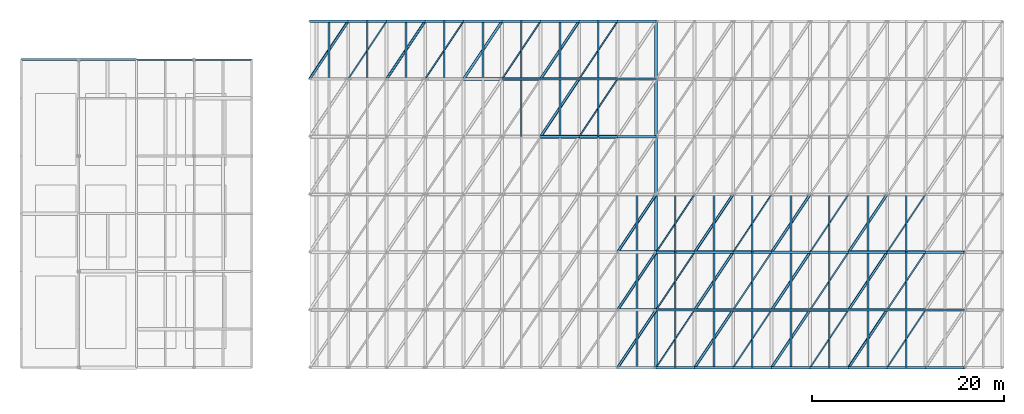
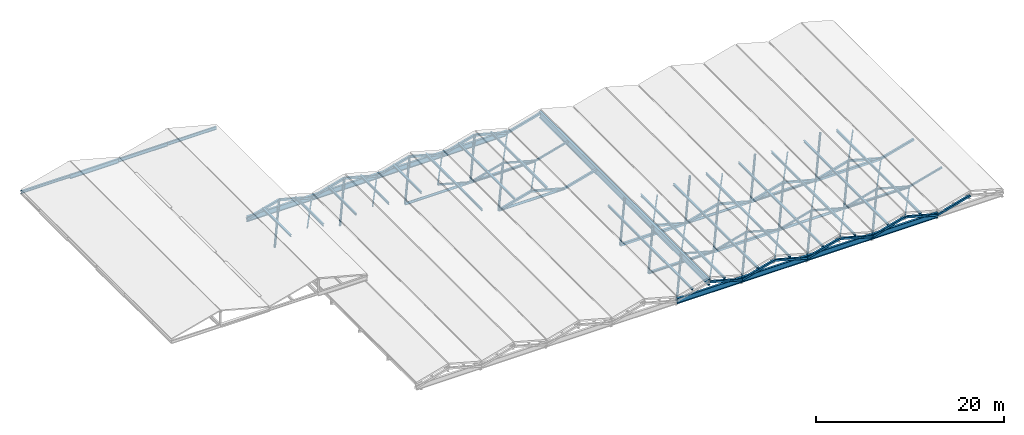
# One storey, part 5 of 27: 120 members, 13 beams.
"""IFC4 building model written with IfcOpenShell, lengths in metres."""

from ifc_helpers import new_model, si_unit, direction, frame, origin, origin_2d, place, context, subcontext, project, spatial, hollow_rectangle, hollow_circle, i_section, extrude, material, material_profile, profile_set, type_object, element, save


model = new_model("IFC4")

# Units and contexts
model_context = context("Model", 3, precision=1e-05, world=origin(), true_north=direction((0.0, 1.0)))
body_context = subcontext(model_context, "Body", "Model", "MODEL_VIEW")
ifc_project = project(units=[si_unit("LENGTHUNIT", "METRE"), si_unit("AREAUNIT", "SQUARE_METRE"), si_unit("VOLUMEUNIT", "CUBIC_METRE"), si_unit("PLANEANGLEUNIT", "RADIAN"), si_unit("MASSUNIT", "GRAM", prefix="KILO")], contexts=[model_context])

# Site, building, storey
site_placement = place(None, origin())
site = spatial("IfcSite", under=ifc_project, at=site_placement, CompositionType="ELEMENT")
building_placement = place(site_placement, origin())
building = spatial("IfcBuilding", under=site, at=building_placement, Name="Verrall Gate Interchange", CompositionType="ELEMENT")
storey_placement = place(building_placement, frame((0.0, 0.0, 32.800048828125)))
storey = spatial("IfcBuildingStorey", under=building, at=storey_placement, Name="RF", CompositionType="ELEMENT", Elevation=32.800048828125)

# Beams
ifc_material_1 = material(Name="Structural Steel CSA G40.21 350WT Cat 4", Category="steel")
ifc_material_profile_1 = material_profile(ifc_material_1, i_section(OverallWidth=0.2919921875, OverallDepth=0.85498046875, WebThickness=0.018310546875, FlangeThickness=0.029296875, FilletRadius=0.02001953125, at=origin_2d()), Name="W840x299")
ifc_profile_set_1 = profile_set([ifc_material_profile_1], Name="Structural Steel CSA G40.21 350WT Cat 4")
beam_type_1 = type_object("IfcBeamType", Name="B-05 Structural Beam W840x299", PredefinedType="BEAM", material=ifc_profile_set_1)
beam_1_placement = place(storey_placement, frame((72.0, 12.0, -15.78564453125), z_axis=(0.0, 1.0, 0.0), x_axis=(-1.0, 0.0, 0.0)))
element("IfcBeam", 1, at=beam_1_placement, inside=storey, type_object=beam_type_1, Name="Folded-Plate Ridge Girder 05", PredefinedType="BEAM", context=body_context, shape_type="SweptSolid", body=[
    extrude(i_section(OverallWidth=0.2919921875, OverallDepth=0.85498046875, WebThickness=0.018310546875, FlangeThickness=0.029296875, FilletRadius=0.02001953125, at=origin_2d()), origin(), (0.0, 0.0, 1.0), 36.0),
])
ifc_material_2 = material(Name="Structural Steel CSA G40.21 350WT Cat 4", Category="steel")
ifc_material_profile_2 = material_profile(ifc_material_2, i_section(OverallWidth=0.256103515625, OverallDepth=0.693115234375, WebThickness=0.01318359375, FlangeThickness=0.02001953125, FilletRadius=0.01611328125, at=origin_2d()), Name="W690x170")
ifc_profile_set_2 = profile_set([ifc_material_profile_2], Name="Structural Steel CSA G40.21 350WT Cat 4")
beam_type_2 = type_object("IfcBeamType", Name="B-07 Structural Beam W690x170", PredefinedType="BEAM", material=ifc_profile_set_2)
for number, where, z_axis, x_axis, name in (
    (2, (36.0, 48.0, -16.8046875), (1.0, 0.0, 0.0), (0.0, 1.0, 0.0), "Concourse Roof End Tie Girder 01"),
    (3, (44.0, 48.0, -16.8046875), (1.0, 0.0, 0.0), (0.0, 1.0, 0.0), "Concourse Roof End Tie Girder 02"),
    (4, (52.0, 48.0, -16.8046875), (1.0, 0.0, 0.0), (0.0, 1.0, 0.0), "Concourse Roof End Tie Girder 03"),
    (5, (60.0, 48.0, -16.8046875), (1.0, 0.0, 0.0), (0.0, 1.0, 0.0), "Concourse Roof End Tie Girder 04"),
    (6, (68.0, 12.0, -16.8046875), (1.0, 0.0, 0.0), (0.0, 1.0, 0.0), "Concourse Roof End Tie Girder 05"),
    (7, (76.0, 12.0, -16.8046875), (1.0, 0.0, 0.0), (0.0, 1.0, 0.0), "Concourse Roof End Tie Girder 06"),
    (8, (84.0, 12.0, -16.8046875), (1.0, 0.0, 0.0), (0.0, 1.0, 0.0), "Concourse Roof End Tie Girder 07"),
    (9, (92.0, 12.0, -16.8046875), (1.0, 0.0, 0.0), (0.0, 1.0, 0.0), "Concourse Roof End Tie Girder 08"),
):
    element("IfcBeam", number, at=place(storey_placement, frame(where, z_axis=z_axis, x_axis=x_axis)), inside=storey, type_object=beam_type_2, Name=name, PredefinedType="BEAM", context=body_context, shape_type="SweptSolid", body=[
        extrude(i_section(OverallWidth=0.256103515625, OverallDepth=0.693115234375, WebThickness=0.01318359375, FlangeThickness=0.02001953125, FilletRadius=0.01611328125, at=origin_2d()), origin(), (0.0, 0.0, 1.0), 8.0),
    ])
ifc_material_3 = material(Name="Structural Steel CSA G40.21 350W", Category="steel")
ifc_material_profile_3 = material_profile(ifc_material_3, i_section(OverallWidth=0.2109375, OverallDepth=0.5390625, WebThickness=0.01171875, FlangeThickness=0.018798828125, FilletRadius=0.013916015625, at=origin_2d()), Name="W530x109")
ifc_profile_set_3 = profile_set([ifc_material_profile_3], Name="Structural Steel CSA G40.21 350W")
beam_type_3 = type_object("IfcBeamType", Name="B-10 Structural Beam W530x109", PredefinedType="BEAM", material=ifc_profile_set_3)
beam_2_placement = place(storey_placement, frame((12.0, 44.0, -0.489501953125), z_axis=(1.0, 0.0, 0.0), x_axis=(0.0, 1.0, 0.0)))
element("IfcBeam", 10, at=beam_2_placement, inside=storey, type_object=beam_type_3, Name="RF Girder BM-RF-3370 (B-10)", PredefinedType="BEAM", context=body_context, shape_type="SweptSolid", body=[
    extrude(i_section(OverallWidth=0.2109375, OverallDepth=0.5390625, WebThickness=0.01171875, FlangeThickness=0.018798828125, FilletRadius=0.013916015625, at=origin_2d()), origin(), (0.0, 0.0, 1.0), 6.0),
])
ifc_material_4 = material(Name="Structural Steel CSA G40.21 350W", Category="steel")
ifc_material_profile_4 = material_profile(ifc_material_4, i_section(OverallWidth=0.19189453125, OverallDepth=0.462890625, WebThickness=0.010498046875, FlangeThickness=0.017578125, FilletRadius=0.012939453125, at=origin_2d()), Name="W460x89")
ifc_profile_set_4 = profile_set([ifc_material_profile_4], Name="Structural Steel CSA G40.21 350W")
beam_type_4 = type_object("IfcBeamType", Name="B-11 Structural Beam W460x89", PredefinedType="BEAM", material=ifc_profile_set_4)
beam_3_placement = place(storey_placement, frame((18.0, 44.0, -0.45166015625), z_axis=(1.0, 0.0, 0.0), x_axis=(0.0, 1.0, 0.0)))
element("IfcBeam", 11, at=beam_3_placement, inside=storey, type_object=beam_type_4, Name="RF Girder BM-RF-3371 (B-11)", PredefinedType="BEAM", context=body_context, shape_type="SweptSolid", body=[
    extrude(i_section(OverallWidth=0.19189453125, OverallDepth=0.462890625, WebThickness=0.010498046875, FlangeThickness=0.017578125, FilletRadius=0.012939453125, at=origin_2d()), origin(), (0.0, 0.0, 1.0), 6.0),
])
ifc_material_5 = material(Name="Structural Steel CSA G40.21 350W", Category="steel")
ifc_material_profile_5 = material_profile(ifc_material_5, i_section(OverallWidth=0.178955078125, OverallDepth=0.409912109375, WebThickness=0.0087890625, FlangeThickness=0.014404296875, FilletRadius=0.011962890625, at=origin_2d()), Name="W410x67")
ifc_profile_set_5 = profile_set([ifc_material_profile_5], Name="Structural Steel CSA G40.21 350W")
beam_type_5 = type_object("IfcBeamType", Name="B-12 Structural Beam W410x67", PredefinedType="BEAM", material=ifc_profile_set_5)
beam_4_placement = place(storey_placement, frame((24.0, 44.0, -0.425048828125), z_axis=(1.0, 0.0, 0.0), x_axis=(0.0, 1.0, 0.0)))
element("IfcBeam", 12, at=beam_4_placement, inside=storey, type_object=beam_type_5, Name="RF Girder BM-RF-3372 (B-12)", PredefinedType="BEAM", context=body_context, shape_type="SweptSolid", body=[
    extrude(i_section(OverallWidth=0.178955078125, OverallDepth=0.409912109375, WebThickness=0.0087890625, FlangeThickness=0.014404296875, FilletRadius=0.011962890625, at=origin_2d()), origin(), (0.0, 0.0, 1.0), 6.0),
])
ifc_material_6 = material(Name="Structural Steel CSA G40.21 350W", Category="steel")
ifc_material_profile_6 = material_profile(ifc_material_6, i_section(OverallWidth=0.205078125, OverallDepth=0.35400390625, WebThickness=0.009521484375, FlangeThickness=0.016845703125, FilletRadius=0.012939453125, at=origin_2d()), Name="W360x79")
ifc_profile_set_6 = profile_set([ifc_material_profile_6], Name="Structural Steel CSA G40.21 350W")
beam_type_6 = type_object("IfcBeamType", Name="B-14 Structural Beam W360x79", PredefinedType="BEAM", material=ifc_profile_set_6)
beam_5_placement = place(storey_placement, frame((6.0, 44.0, -0.39697265625), z_axis=(1.0, 0.0, 0.0), x_axis=(0.0, 1.0, 0.0)))
element("IfcBeam", 13, at=beam_5_placement, inside=storey, type_object=beam_type_6, Name="RF Girder BM-RF-3369 (B-14)", PredefinedType="BEAM", context=body_context, shape_type="SweptSolid", body=[
    extrude(i_section(OverallWidth=0.205078125, OverallDepth=0.35400390625, WebThickness=0.009521484375, FlangeThickness=0.016845703125, FilletRadius=0.012939453125, at=origin_2d()), origin(), (0.0, 0.0, 1.0), 6.0),
])

# Members
ifc_material_7 = material(Name="Structural Steel CSA G40.21 350WT Cat 4", Category="steel")
ifc_material_profile_7 = material_profile(ifc_material_7, hollow_circle(Radius=0.136474609375, WallThickness=0.009521484375, at=origin_2d()), Name="HSS273x9.5")
ifc_profile_set_7 = profile_set([ifc_material_profile_7], Name="Structural Steel CSA G40.21 350WT Cat 4")
member_type_1 = type_object("IfcMemberType", Name="BR-01 Diagonal Brace HSS273x9.5", PredefinedType="BRACE", material=ifc_profile_set_7)
for number, where, z_axis, x_axis, name in (
    (14, (36.0, 42.0, -16.808349609375), (0.548355855136, 0.822533782704, 0.150811247756), (-0.832050294338, 0.554700196225, 0.0), "Folded-Plate Space Truss Diagonal W 1.5"),
    (15, (44.0, 42.0, -16.808349609375), (0.548355855136, 0.822533782704, 0.150811247756), (-0.832050294338, 0.554700196225, 0.0), "Folded-Plate Space Truss Diagonal W 2.5"),
    (16, (52.0, 42.0, -16.808349609375), (0.548355855136, 0.822533782704, 0.150811247756), (-0.832050294338, 0.554700196225, 0.0), "Folded-Plate Space Truss Diagonal W 3.5"),
    (17, (60.0, 36.0, -16.808349609375), (0.548355855136, 0.822533782704, 0.150811247756), (-0.832050294338, 0.554700196225, 0.0), "Folded-Plate Space Truss Diagonal W 4.4"),
    (18, (60.0, 42.0, -16.808349609375), (0.548355855136, 0.822533782704, 0.150811247756), (-0.832050294338, 0.554700196225, 0.0), "Folded-Plate Space Truss Diagonal W 4.5"),
    (19, (68.0, 12.0, -16.808349609375), (0.548355855136, 0.822533782704, 0.150811247756), (-0.832050294338, 0.554700196225, 0.0), "Folded-Plate Space Truss Diagonal W 5.0"),
    (20, (68.0, 18.0, -16.808349609375), (0.548355855136, 0.822533782704, 0.150811247756), (-0.832050294338, 0.554700196225, 0.0), "Folded-Plate Space Truss Diagonal W 5.1"),
    (21, (68.0, 24.0, -16.808349609375), (0.548355855136, 0.822533782704, 0.150811247756), (-0.832050294338, 0.554700196225, 0.0), "Folded-Plate Space Truss Diagonal W 5.2"),
    (22, (76.0, 12.0, -16.808349609375), (0.548355855136, 0.822533782704, 0.150811247756), (-0.832050294338, 0.554700196225, 0.0), "Folded-Plate Space Truss Diagonal W 6.0"),
    (23, (76.0, 18.0, -16.808349609375), (0.548355855136, 0.822533782704, 0.150811247756), (-0.832050294338, 0.554700196225, 0.0), "Folded-Plate Space Truss Diagonal W 6.1"),
    (24, (76.0, 24.0, -16.808349609375), (0.548355855136, 0.822533782704, 0.150811247756), (-0.832050294338, 0.554700196225, 0.0), "Folded-Plate Space Truss Diagonal W 6.2"),
    (25, (84.0, 12.0, -16.808349609375), (0.548355855136, 0.822533782704, 0.150811247756), (-0.832050294338, 0.554700196225, 0.0), "Folded-Plate Space Truss Diagonal W 7.0"),
    (26, (84.0, 18.0, -16.808349609375), (0.548355855136, 0.822533782704, 0.150811247756), (-0.832050294338, 0.554700196225, 0.0), "Folded-Plate Space Truss Diagonal W 7.1"),
    (27, (84.0, 24.0, -16.808349609375), (0.548355855136, 0.822533782704, 0.150811247756), (-0.832050294338, 0.554700196225, 0.0), "Folded-Plate Space Truss Diagonal W 7.2"),
    (28, (92.0, 12.0, -16.808349609375), (0.548355855136, 0.822533782704, 0.150811247756), (-0.832050294338, 0.554700196225, 0.0), "Folded-Plate Space Truss Diagonal W 8.0"),
    (29, (92.0, 18.0, -16.808349609375), (0.548355855136, 0.822533782704, 0.150811247756), (-0.832050294338, 0.554700196225, 0.0), "Folded-Plate Space Truss Diagonal W 8.1"),
    (30, (92.0, 24.0, -16.808349609375), (0.548355855136, 0.822533782704, 0.150811247756), (-0.832050294338, 0.554700196225, 0.0), "Folded-Plate Space Truss Diagonal W 8.2"),
):
    element("IfcMember", number, at=place(storey_placement, frame(where, z_axis=z_axis, x_axis=x_axis)), inside=storey, type_object=member_type_1, Name=name, PredefinedType="BRACE", context=body_context, shape_type="SweptSolid", body=[
        extrude(hollow_circle(Radius=0.136474609375, WallThickness=0.009521484375, at=origin_2d()), origin(), (0.0, 0.0, 1.0), 7.29443359375),
    ])
ifc_material_8 = material(Name="Structural Steel CSA G40.21 350WT Cat 4", Category="steel")
ifc_material_profile_8 = material_profile(ifc_material_8, hollow_rectangle(XDim=0.152099609375, YDim=0.152099609375, WallThickness=0.008056640625, InnerFilletRadius=0.008056640625, OuterFilletRadius=0.015869140625, at=origin_2d()), Name="HSS152x152x8.0")
ifc_profile_set_8 = profile_set([ifc_material_profile_8], Name="Structural Steel CSA G40.21 350WT Cat 4")
member_type_2 = type_object("IfcMemberType", Name="BR-04 Diagonal Brace HSS152x152x8.0", PredefinedType="BRACE", material=ifc_profile_set_8)
for number, where, z_axis, x_axis, name in (
    (31, (40.0, 42.0, -15.708251953125), (0.548355855136, 0.822533782704, -0.150811247756), (-0.832050294338, 0.554700196225, 0.0), "Folded-Plate Space Truss Diagonal E 1.5"),
    (32, (48.0, 42.0, -15.708251953125), (0.548355855136, 0.822533782704, -0.150811247756), (-0.832050294338, 0.554700196225, 0.0), "Folded-Plate Space Truss Diagonal E 2.5"),
    (33, (56.0, 42.0, -15.708251953125), (0.548355855136, 0.822533782704, -0.150811247756), (-0.832050294338, 0.554700196225, 0.0), "Folded-Plate Space Truss Diagonal E 3.5"),
    (34, (64.0, 36.0, -15.708251953125), (0.548355855136, 0.822533782704, -0.150811247756), (-0.832050294338, 0.554700196225, 0.0), "Folded-Plate Space Truss Diagonal E 4.4"),
    (35, (64.0, 42.0, -15.708251953125), (0.548355855136, 0.822533782704, -0.150811247756), (-0.832050294338, 0.554700196225, 0.0), "Folded-Plate Space Truss Diagonal E 4.5"),
    (36, (72.0, 12.0, -15.708251953125), (0.548355855136, 0.822533782704, -0.150811247756), (-0.832050294338, 0.554700196225, 0.0), "Folded-Plate Space Truss Diagonal E 5.0"),
    (37, (72.0, 18.0, -15.708251953125), (0.548355855136, 0.822533782704, -0.150811247756), (-0.832050294338, 0.554700196225, 0.0), "Folded-Plate Space Truss Diagonal E 5.1"),
    (38, (72.0, 24.0, -15.708251953125), (0.548355855136, 0.822533782704, -0.150811247756), (-0.832050294338, 0.554700196225, 0.0), "Folded-Plate Space Truss Diagonal E 5.2"),
    (39, (80.0, 12.0, -15.708251953125), (0.548355855136, 0.822533782704, -0.150811247756), (-0.832050294338, 0.554700196225, 0.0), "Folded-Plate Space Truss Diagonal E 6.0"),
    (40, (80.0, 18.0, -15.708251953125), (0.548355855136, 0.822533782704, -0.150811247756), (-0.832050294338, 0.554700196225, 0.0), "Folded-Plate Space Truss Diagonal E 6.1"),
    (41, (80.0, 24.0, -15.708251953125), (0.548355855136, 0.822533782704, -0.150811247756), (-0.832050294338, 0.554700196225, 0.0), "Folded-Plate Space Truss Diagonal E 6.2"),
    (42, (88.0, 12.0, -15.708251953125), (0.548355855136, 0.822533782704, -0.150811247756), (-0.832050294338, 0.554700196225, 0.0), "Folded-Plate Space Truss Diagonal E 7.0"),
    (43, (88.0, 18.0, -15.708251953125), (0.548355855136, 0.822533782704, -0.150811247756), (-0.832050294338, 0.554700196225, 0.0), "Folded-Plate Space Truss Diagonal E 7.1"),
    (44, (88.0, 24.0, -15.708251953125), (0.548355855136, 0.822533782704, -0.150811247756), (-0.832050294338, 0.554700196225, 0.0), "Folded-Plate Space Truss Diagonal E 7.2"),
    (45, (96.0, 12.0, -15.708251953125), (0.548355855136, 0.822533782704, -0.150811247756), (-0.832050294338, 0.554700196225, 0.0), "Folded-Plate Space Truss Diagonal E 8.0"),
    (46, (96.0, 18.0, -15.708251953125), (0.548355855136, 0.822533782704, -0.150811247756), (-0.832050294338, 0.554700196225, 0.0), "Folded-Plate Space Truss Diagonal E 8.1"),
    (47, (96.0, 24.0, -15.708251953125), (0.548355855136, 0.822533782704, -0.150811247756), (-0.832050294338, 0.554700196225, 0.0), "Folded-Plate Space Truss Diagonal E 8.2"),
):
    element("IfcMember", number, at=place(storey_placement, frame(where, z_axis=z_axis, x_axis=x_axis)), inside=storey, type_object=member_type_2, Name=name, PredefinedType="BRACE", context=body_context, shape_type="SweptSolid", body=[
        extrude(hollow_rectangle(XDim=0.152099609375, YDim=0.152099609375, WallThickness=0.008056640625, InnerFilletRadius=0.008056640625, OuterFilletRadius=0.015869140625, at=origin_2d()), origin(), (0.0, 0.0, 1.0), 7.29443359375),
    ])
ifc_material_9 = material(Name="Structural Steel CSA G40.21 350WT Cat 4", Category="steel")
ifc_material_profile_9 = material_profile(ifc_material_9, hollow_rectangle(XDim=0.304931640625, YDim=0.304931640625, WallThickness=0.0126953125, InnerFilletRadius=0.0126953125, OuterFilletRadius=0.025390625, at=origin_2d()), Name="HSS305x305x13")
ifc_profile_set_9 = profile_set([ifc_material_profile_9], Name="Structural Steel CSA G40.21 350WT Cat 4")
member_type_3 = type_object("IfcMemberType", Name="CH-01 Truss Chord HSS305x305x13", PredefinedType="CHORD", material=ifc_profile_set_9)
for number, where, z_axis, x_axis, name in (
    (48, (68.0, 24.0, -16.808349609375), (1.0, 0.0, 0.0), (0.0, 1.0, 0.0), "Concourse Fold Bottom Chord 5.2"),
    (49, (76.0, 18.0, -16.808349609375), (1.0, 0.0, 0.0), (0.0, 1.0, 0.0), "Concourse Fold Bottom Chord 6.1"),
    (50, (92.0, 24.0, -16.808349609375), (1.0, 0.0, 0.0), (0.0, 1.0, 0.0), "Concourse Fold Bottom Chord 8.2"),
):
    element("IfcMember", number, at=place(storey_placement, frame(where, z_axis=z_axis, x_axis=x_axis)), inside=storey, type_object=member_type_3, Name=name, PredefinedType="CHORD", context=body_context, shape_type="SweptSolid", body=[
        extrude(hollow_rectangle(XDim=0.304931640625, YDim=0.304931640625, WallThickness=0.0126953125, InnerFilletRadius=0.0126953125, OuterFilletRadius=0.025390625, at=origin_2d()), origin(), (0.0, 0.0, 1.0), 8.0),
    ])
ifc_material_10 = material(Name="Structural Steel CSA G40.21 350WT Cat 4", Category="steel")
ifc_material_profile_10 = material_profile(ifc_material_10, hollow_circle(Radius=0.161865234375, WallThickness=0.0126953125, at=origin_2d()), Name="HSS324x13")
ifc_profile_set_10 = profile_set([ifc_material_profile_10], Name="Structural Steel CSA G40.21 350WT Cat 4")
member_type_4 = type_object("IfcMemberType", Name="CH-02 Truss Chord HSS324x13", PredefinedType="CHORD", material=ifc_profile_set_10)
for number, where, z_axis, x_axis, name in (
    (51, (52.0, 42.0, -16.808349609375), (1.0, 0.0, 0.0), (0.0, 1.0, 0.0), "Concourse Fold Bottom Chord 3.5"),
    (52, (60.0, 36.0, -16.808349609375), (1.0, 0.0, 0.0), (0.0, 1.0, 0.0), "Concourse Fold Bottom Chord 4.4"),
    (53, (76.0, 24.0, -16.808349609375), (1.0, 0.0, 0.0), (0.0, 1.0, 0.0), "Concourse Fold Bottom Chord 6.2"),
    (54, (84.0, 18.0, -16.808349609375), (1.0, 0.0, 0.0), (0.0, 1.0, 0.0), "Concourse Fold Bottom Chord 7.1"),
):
    element("IfcMember", number, at=place(storey_placement, frame(where, z_axis=z_axis, x_axis=x_axis)), inside=storey, type_object=member_type_4, Name=name, PredefinedType="CHORD", context=body_context, shape_type="SweptSolid", body=[
        extrude(hollow_circle(Radius=0.161865234375, WallThickness=0.0126953125, at=origin_2d()), origin(), (0.0, 0.0, 1.0), 8.0),
    ])
ifc_material_11 = material(Name="Structural Steel CSA G40.21 350WT Cat 4", Category="steel")
ifc_material_profile_11 = material_profile(ifc_material_11, i_section(OverallWidth=0.25390625, OverallDepth=0.2529296875, WebThickness=0.008544921875, FlangeThickness=0.01416015625, FilletRadius=0.011962890625, at=origin_2d()), Name="W250x73")
ifc_profile_set_11 = profile_set([ifc_material_profile_11], Name="Structural Steel CSA G40.21 350WT Cat 4")
member_type_5 = type_object("IfcMemberType", Name="CH-03 Truss Chord W250x73", PredefinedType="CHORD", material=ifc_profile_set_11)
for number, where, z_axis, x_axis, name in (
    (55, (60.0, 42.0, -16.808349609375), (1.0, 0.0, 0.0), (0.0, 1.0, 0.0), "Concourse Fold Bottom Chord 4.5"),
    (56, (68.0, 18.0, -16.808349609375), (1.0, 0.0, 0.0), (0.0, 1.0, 0.0), "Concourse Fold Bottom Chord 5.1"),
    (57, (84.0, 24.0, -16.808349609375), (1.0, 0.0, 0.0), (0.0, 1.0, 0.0), "Concourse Fold Bottom Chord 7.2"),
    (58, (92.0, 18.0, -16.808349609375), (1.0, 0.0, 0.0), (0.0, 1.0, 0.0), "Concourse Fold Bottom Chord 8.1"),
):
    element("IfcMember", number, at=place(storey_placement, frame(where, z_axis=z_axis, x_axis=x_axis)), inside=storey, type_object=member_type_5, Name=name, PredefinedType="CHORD", context=body_context, shape_type="SweptSolid", body=[
        extrude(i_section(OverallWidth=0.25390625, OverallDepth=0.2529296875, WebThickness=0.008544921875, FlangeThickness=0.01416015625, FilletRadius=0.011962890625, at=origin_2d()), origin(), (0.0, 0.0, 1.0), 8.0),
    ])
ifc_material_12 = material(Name="Structural Steel CSA G40.21 350WT Cat 4", Category="steel")
ifc_material_profile_12 = material_profile(ifc_material_12, i_section(OverallWidth=0.201904296875, OverallDepth=0.2470703125, WebThickness=0.00732421875, FlangeThickness=0.010986328125, FilletRadius=0.010986328125, at=origin_2d()), Name="W250x49")
ifc_profile_set_12 = profile_set([ifc_material_profile_12], Name="Structural Steel CSA G40.21 350WT Cat 4")
member_type_6 = type_object("IfcMemberType", Name="PR-01 Roof Purlin W250x49", PredefinedType="PURLIN", material=ifc_profile_set_12)
for number, where, z_axis, x_axis, name in (
    (59, (38.0, 42.0, -16.068359375), (0.0, 1.0, 0.0), (-1.0, 0.0, 0.0), "Concourse Roof Purlin W 1.5"),
    (60, (46.0, 42.0, -16.068359375), (0.0, 1.0, 0.0), (-1.0, 0.0, 0.0), "Concourse Roof Purlin W 2.5"),
    (61, (54.0, 42.0, -16.068359375), (0.0, 1.0, 0.0), (-1.0, 0.0, 0.0), "Concourse Roof Purlin W 3.5"),
    (62, (62.0, 36.0, -16.068359375), (0.0, 1.0, 0.0), (-1.0, 0.0, 0.0), "Concourse Roof Purlin W 4.4"),
    (63, (62.0, 42.0, -16.068359375), (0.0, 1.0, 0.0), (-1.0, 0.0, 0.0), "Concourse Roof Purlin W 4.5"),
    (64, (70.0, 12.0, -16.068359375), (0.0, 1.0, 0.0), (-1.0, 0.0, 0.0), "Concourse Roof Purlin W 5.0"),
    (65, (70.0, 18.0, -16.068359375), (0.0, 1.0, 0.0), (-1.0, 0.0, 0.0), "Concourse Roof Purlin W 5.1"),
    (66, (70.0, 24.0, -16.068359375), (0.0, 1.0, 0.0), (-1.0, 0.0, 0.0), "Concourse Roof Purlin W 5.2"),
    (67, (78.0, 12.0, -16.068359375), (0.0, 1.0, 0.0), (-1.0, 0.0, 0.0), "Concourse Roof Purlin W 6.0"),
    (68, (78.0, 18.0, -16.068359375), (0.0, 1.0, 0.0), (-1.0, 0.0, 0.0), "Concourse Roof Purlin W 6.1"),
    (69, (78.0, 24.0, -16.068359375), (0.0, 1.0, 0.0), (-1.0, 0.0, 0.0), "Concourse Roof Purlin W 6.2"),
    (70, (86.0, 12.0, -16.068359375), (0.0, 1.0, 0.0), (-1.0, 0.0, 0.0), "Concourse Roof Purlin W 7.0"),
    (71, (86.0, 18.0, -16.068359375), (0.0, 1.0, 0.0), (-1.0, 0.0, 0.0), "Concourse Roof Purlin W 7.1"),
    (72, (86.0, 24.0, -16.068359375), (0.0, 1.0, 0.0), (-1.0, 0.0, 0.0), "Concourse Roof Purlin W 7.2"),
    (73, (94.0, 12.0, -16.068359375), (0.0, 1.0, 0.0), (-1.0, 0.0, 0.0), "Concourse Roof Purlin W 8.0"),
    (74, (94.0, 18.0, -16.068359375), (0.0, 1.0, 0.0), (-1.0, 0.0, 0.0), "Concourse Roof Purlin W 8.1"),
    (75, (94.0, 24.0, -16.068359375), (0.0, 1.0, 0.0), (-1.0, 0.0, 0.0), "Concourse Roof Purlin W 8.2"),
):
    element("IfcMember", number, at=place(storey_placement, frame(where, z_axis=z_axis, x_axis=x_axis)), inside=storey, type_object=member_type_6, Name=name, PredefinedType="PURLIN", context=body_context, shape_type="SweptSolid", body=[
        extrude(i_section(OverallWidth=0.201904296875, OverallDepth=0.2470703125, WebThickness=0.00732421875, FlangeThickness=0.010986328125, FilletRadius=0.010986328125, at=origin_2d()), origin(), (0.0, 0.0, 1.0), 6.0),
    ])
ifc_material_13 = material(Name="Structural Steel CSA G40.21 350WT Cat 4", Category="steel")
ifc_material_profile_13 = material_profile(ifc_material_13, i_section(OverallWidth=0.1650390625, OverallDepth=0.31005859375, WebThickness=0.005859375, FlangeThickness=0.009765625, FilletRadius=0.010009765625, at=origin_2d()), Name="W310x39")
ifc_profile_set_13 = profile_set([ifc_material_profile_13], Name="Structural Steel CSA G40.21 350WT Cat 4")
member_type_7 = type_object("IfcMemberType", Name="PR-03 Roof Purlin W310x39", PredefinedType="PURLIN", material=ifc_profile_set_13)
for number, where, z_axis, x_axis, name in (
    (76, (42.0, 42.0, -16.068359375), (0.0, 1.0, 0.0), (-1.0, 0.0, 0.0), "Concourse Roof Purlin E 1.5"),
    (77, (50.0, 42.0, -16.068359375), (0.0, 1.0, 0.0), (-1.0, 0.0, 0.0), "Concourse Roof Purlin E 2.5"),
    (78, (58.0, 36.0, -16.068359375), (0.0, 1.0, 0.0), (-1.0, 0.0, 0.0), "Concourse Roof Purlin E 3.4"),
    (79, (58.0, 42.0, -16.068359375), (0.0, 1.0, 0.0), (-1.0, 0.0, 0.0), "Concourse Roof Purlin E 3.5"),
    (80, (66.0, 36.0, -16.068359375), (0.0, 1.0, 0.0), (-1.0, 0.0, 0.0), "Concourse Roof Purlin E 4.4"),
    (81, (66.0, 42.0, -16.068359375), (0.0, 1.0, 0.0), (-1.0, 0.0, 0.0), "Concourse Roof Purlin E 4.5"),
    (82, (74.0, 12.0, -16.068359375), (0.0, 1.0, 0.0), (-1.0, 0.0, 0.0), "Concourse Roof Purlin E 5.0"),
    (83, (74.0, 18.0, -16.068359375), (0.0, 1.0, 0.0), (-1.0, 0.0, 0.0), "Concourse Roof Purlin E 5.1"),
    (84, (74.0, 24.0, -16.068359375), (0.0, 1.0, 0.0), (-1.0, 0.0, 0.0), "Concourse Roof Purlin E 5.2"),
    (85, (82.0, 12.0, -16.068359375), (0.0, 1.0, 0.0), (-1.0, 0.0, 0.0), "Concourse Roof Purlin E 6.0"),
    (86, (82.0, 18.0, -16.068359375), (0.0, 1.0, 0.0), (-1.0, 0.0, 0.0), "Concourse Roof Purlin E 6.1"),
    (87, (82.0, 24.0, -16.068359375), (0.0, 1.0, 0.0), (-1.0, 0.0, 0.0), "Concourse Roof Purlin E 6.2"),
    (88, (90.0, 12.0, -16.068359375), (0.0, 1.0, 0.0), (-1.0, 0.0, 0.0), "Concourse Roof Purlin E 7.0"),
    (89, (90.0, 18.0, -16.068359375), (0.0, 1.0, 0.0), (-1.0, 0.0, 0.0), "Concourse Roof Purlin E 7.1"),
    (90, (90.0, 24.0, -16.068359375), (0.0, 1.0, 0.0), (-1.0, 0.0, 0.0), "Concourse Roof Purlin E 7.2"),
    (91, (98.0, 12.0, -16.068359375), (0.0, 1.0, 0.0), (-1.0, 0.0, 0.0), "Concourse Roof Purlin E 8.0"),
    (92, (98.0, 18.0, -16.068359375), (0.0, 1.0, 0.0), (-1.0, 0.0, 0.0), "Concourse Roof Purlin E 8.1"),
    (93, (98.0, 24.0, -16.068359375), (0.0, 1.0, 0.0), (-1.0, 0.0, 0.0), "Concourse Roof Purlin E 8.2"),
):
    element("IfcMember", number, at=place(storey_placement, frame(where, z_axis=z_axis, x_axis=x_axis)), inside=storey, type_object=member_type_7, Name=name, PredefinedType="PURLIN", context=body_context, shape_type="SweptSolid", body=[
        extrude(i_section(OverallWidth=0.1650390625, OverallDepth=0.31005859375, WebThickness=0.005859375, FlangeThickness=0.009765625, FilletRadius=0.010009765625, at=origin_2d()), origin(), (0.0, 0.0, 1.0), 6.0),
    ])
ifc_material_14 = material(Name="Structural Steel CSA G40.21 350WT Cat 4", Category="steel")
ifc_material_profile_14 = material_profile(ifc_material_14, hollow_rectangle(XDim=0.25390625, YDim=0.25390625, WallThickness=0.009521484375, InnerFilletRadius=0.009521484375, OuterFilletRadius=0.01904296875, at=origin_2d()), Name="HSS254x254x9.5")
ifc_profile_set_14 = profile_set([ifc_material_profile_14], Name="Structural Steel CSA G40.21 350WT Cat 4")
member_type_8 = type_object("IfcMemberType", Name="RF-01 Folded Roof Rafter HSS254x254x9.5", PredefinedType="RAFTER", material=ifc_profile_set_14)
for number, where, z_axis, x_axis, name in (
    (94, (36.0, 48.0, -16.808349609375), (0.964199374188, 0.0, 0.265178367925), (0.0, 1.0, 0.0), "Concourse Fold Rafter W 1.6"),
    (95, (40.0, 48.0, -15.708251953125), (0.964199374188, 0.0, -0.265178367925), (0.0, 1.0, 0.0), "Concourse Fold Rafter E 1.6"),
    (96, (44.0, 48.0, -16.808349609375), (0.964199374188, 0.0, 0.265178367925), (0.0, 1.0, 0.0), "Concourse Fold Rafter W 2.6"),
    (97, (48.0, 48.0, -15.708251953125), (0.964199374188, 0.0, -0.265178367925), (0.0, 1.0, 0.0), "Concourse Fold Rafter E 2.6"),
    (98, (52.0, 48.0, -16.808349609375), (0.964199374188, 0.0, 0.265178367925), (0.0, 1.0, 0.0), "Concourse Fold Rafter W 3.6"),
    (99, (56.0, 48.0, -15.708251953125), (0.964199374188, 0.0, -0.265178367925), (0.0, 1.0, 0.0), "Concourse Fold Rafter E 3.6"),
    (100, (60.0, 36.0, -16.808349609375), (0.964199374188, 0.0, 0.265178367925), (0.0, 1.0, 0.0), "Concourse Fold Rafter W 4.4"),
    (101, (64.0, 36.0, -15.708251953125), (0.964199374188, 0.0, -0.265178367925), (0.0, 1.0, 0.0), "Concourse Fold Rafter E 4.4"),
    (102, (60.0, 48.0, -16.808349609375), (0.964199374188, 0.0, 0.265178367925), (0.0, 1.0, 0.0), "Concourse Fold Rafter W 4.6"),
    (103, (64.0, 48.0, -15.708251953125), (0.964199374188, 0.0, -0.265178367925), (0.0, 1.0, 0.0), "Concourse Fold Rafter E 4.6"),
    (104, (72.0, 12.0, -15.708251953125), (0.964199374188, 0.0, -0.265178367925), (0.0, 1.0, 0.0), "Concourse Fold Rafter E 5.0"),
    (105, (72.0, 24.0, -15.708251953125), (0.964199374188, 0.0, -0.265178367925), (0.0, 1.0, 0.0), "Concourse Fold Rafter E 5.2"),
    (106, (68.0, 36.0, -16.808349609375), (0.964199374188, 0.0, 0.265178367925), (0.0, 1.0, 0.0), "Concourse Fold Rafter W 5.4"),
    (107, (68.0, 48.0, -16.808349609375), (0.964199374188, 0.0, 0.265178367925), (0.0, 1.0, 0.0), "Concourse Fold Rafter W 5.6"),
    (108, (76.0, 12.0, -16.808349609375), (0.964199374188, 0.0, 0.265178367925), (0.0, 1.0, 0.0), "Concourse Fold Rafter W 6.0"),
    (109, (80.0, 12.0, -15.708251953125), (0.964199374188, 0.0, -0.265178367925), (0.0, 1.0, 0.0), "Concourse Fold Rafter E 6.0"),
    (110, (76.0, 24.0, -16.808349609375), (0.964199374188, 0.0, 0.265178367925), (0.0, 1.0, 0.0), "Concourse Fold Rafter W 6.2"),
    (111, (80.0, 24.0, -15.708251953125), (0.964199374188, 0.0, -0.265178367925), (0.0, 1.0, 0.0), "Concourse Fold Rafter E 6.2"),
    (112, (84.0, 12.0, -16.808349609375), (0.964199374188, 0.0, 0.265178367925), (0.0, 1.0, 0.0), "Concourse Fold Rafter W 7.0"),
    (113, (88.0, 12.0, -15.708251953125), (0.964199374188, 0.0, -0.265178367925), (0.0, 1.0, 0.0), "Concourse Fold Rafter E 7.0"),
    (114, (84.0, 24.0, -16.808349609375), (0.964199374188, 0.0, 0.265178367925), (0.0, 1.0, 0.0), "Concourse Fold Rafter W 7.2"),
    (115, (88.0, 24.0, -15.708251953125), (0.964199374188, 0.0, -0.265178367925), (0.0, 1.0, 0.0), "Concourse Fold Rafter E 7.2"),
    (116, (92.0, 12.0, -16.808349609375), (0.964199374188, 0.0, 0.265178367925), (0.0, 1.0, 0.0), "Concourse Fold Rafter W 8.0"),
    (117, (96.0, 12.0, -15.708251953125), (0.964199374188, 0.0, -0.265178367925), (0.0, 1.0, 0.0), "Concourse Fold Rafter E 8.0"),
    (118, (92.0, 24.0, -16.808349609375), (0.964199374188, 0.0, 0.265178367925), (0.0, 1.0, 0.0), "Concourse Fold Rafter W 8.2"),
    (119, (96.0, 24.0, -15.708251953125), (0.964199374188, 0.0, -0.265178367925), (0.0, 1.0, 0.0), "Concourse Fold Rafter E 8.2"),
    (120, (100.0, 12.0, -16.808349609375), (0.964199374188, 0.0, 0.265178367925), (0.0, 1.0, 0.0), "Concourse Fold Rafter W 9.0"),
    (121, (100.0, 24.0, -16.808349609375), (0.964199374188, 0.0, 0.265178367925), (0.0, 1.0, 0.0), "Concourse Fold Rafter W 9.2"),
):
    element("IfcMember", number, at=place(storey_placement, frame(where, z_axis=z_axis, x_axis=x_axis)), inside=storey, type_object=member_type_8, Name=name, PredefinedType="RAFTER", context=body_context, shape_type="SweptSolid", body=[
        extrude(hollow_rectangle(XDim=0.25390625, YDim=0.25390625, WallThickness=0.009521484375, InnerFilletRadius=0.009521484375, OuterFilletRadius=0.01904296875, at=origin_2d()), origin(), (0.0, 0.0, 1.0), 4.1484375),
    ])
ifc_material_15 = material(Name="Structural Steel CSA G40.21 350WT Cat 4", Category="steel")
ifc_material_profile_15 = material_profile(ifc_material_15, hollow_rectangle(XDim=0.202880859375, YDim=0.202880859375, WallThickness=0.009521484375, InnerFilletRadius=0.009521484375, OuterFilletRadius=0.01904296875, at=origin_2d()), Name="HSS203x203x9.5")
ifc_profile_set_15 = profile_set([ifc_material_profile_15], Name="Structural Steel CSA G40.21 350WT Cat 4")
member_type_9 = type_object("IfcMemberType", Name="RF-02 Folded Roof Rafter HSS203x203x9.5", PredefinedType="RAFTER", material=ifc_profile_set_15)
for number, where, z_axis, x_axis, name in (
    (122, (56.0, 42.0, -15.708251953125), (0.964199374188, 0.0, -0.265178367925), (0.0, 1.0, 0.0), "Concourse Fold Rafter E 3.5"),
    (123, (60.0, 42.0, -16.808349609375), (0.964199374188, 0.0, 0.265178367925), (0.0, 1.0, 0.0), "Concourse Fold Rafter W 4.5"),
    (124, (64.0, 42.0, -15.708251953125), (0.964199374188, 0.0, -0.265178367925), (0.0, 1.0, 0.0), "Concourse Fold Rafter E 4.5"),
    (125, (72.0, 18.0, -15.708251953125), (0.964199374188, 0.0, -0.265178367925), (0.0, 1.0, 0.0), "Concourse Fold Rafter E 5.1"),
    (126, (68.0, 42.0, -16.808349609375), (0.964199374188, 0.0, 0.265178367925), (0.0, 1.0, 0.0), "Concourse Fold Rafter W 5.5"),
    (127, (76.0, 18.0, -16.808349609375), (0.964199374188, 0.0, 0.265178367925), (0.0, 1.0, 0.0), "Concourse Fold Rafter W 6.1"),
    (128, (80.0, 18.0, -15.708251953125), (0.964199374188, 0.0, -0.265178367925), (0.0, 1.0, 0.0), "Concourse Fold Rafter E 6.1"),
    (129, (84.0, 18.0, -16.808349609375), (0.964199374188, 0.0, 0.265178367925), (0.0, 1.0, 0.0), "Concourse Fold Rafter W 7.1"),
    (130, (88.0, 18.0, -15.708251953125), (0.964199374188, 0.0, -0.265178367925), (0.0, 1.0, 0.0), "Concourse Fold Rafter E 7.1"),
    (131, (92.0, 18.0, -16.808349609375), (0.964199374188, 0.0, 0.265178367925), (0.0, 1.0, 0.0), "Concourse Fold Rafter W 8.1"),
    (132, (96.0, 18.0, -15.708251953125), (0.964199374188, 0.0, -0.265178367925), (0.0, 1.0, 0.0), "Concourse Fold Rafter E 8.1"),
    (133, (100.0, 18.0, -16.808349609375), (0.964199374188, 0.0, 0.265178367925), (0.0, 1.0, 0.0), "Concourse Fold Rafter W 9.1"),
):
    element("IfcMember", number, at=place(storey_placement, frame(where, z_axis=z_axis, x_axis=x_axis)), inside=storey, type_object=member_type_9, Name=name, PredefinedType="RAFTER", context=body_context, shape_type="SweptSolid", body=[
        extrude(hollow_rectangle(XDim=0.202880859375, YDim=0.202880859375, WallThickness=0.009521484375, InnerFilletRadius=0.009521484375, OuterFilletRadius=0.01904296875, at=origin_2d()), origin(), (0.0, 0.0, 1.0), 4.1484375),
    ])

save(model, "model.ifc")
